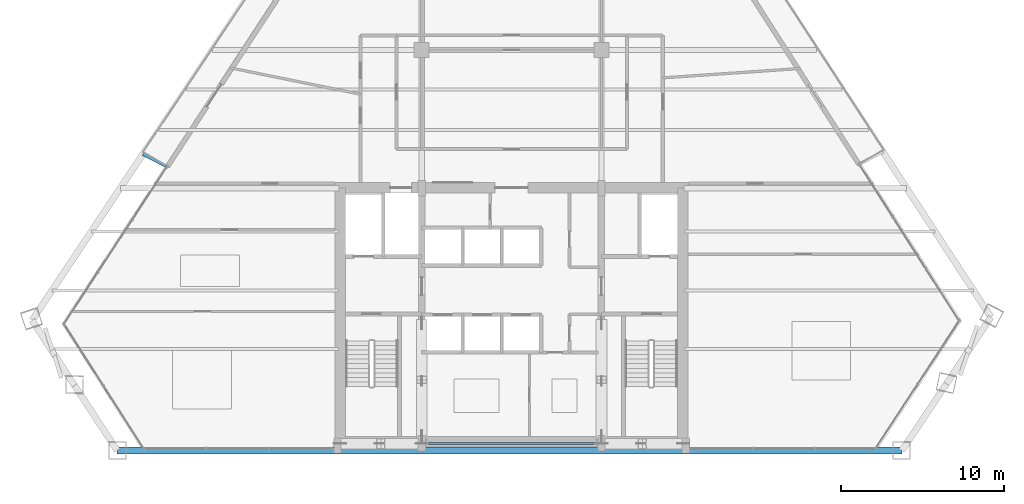
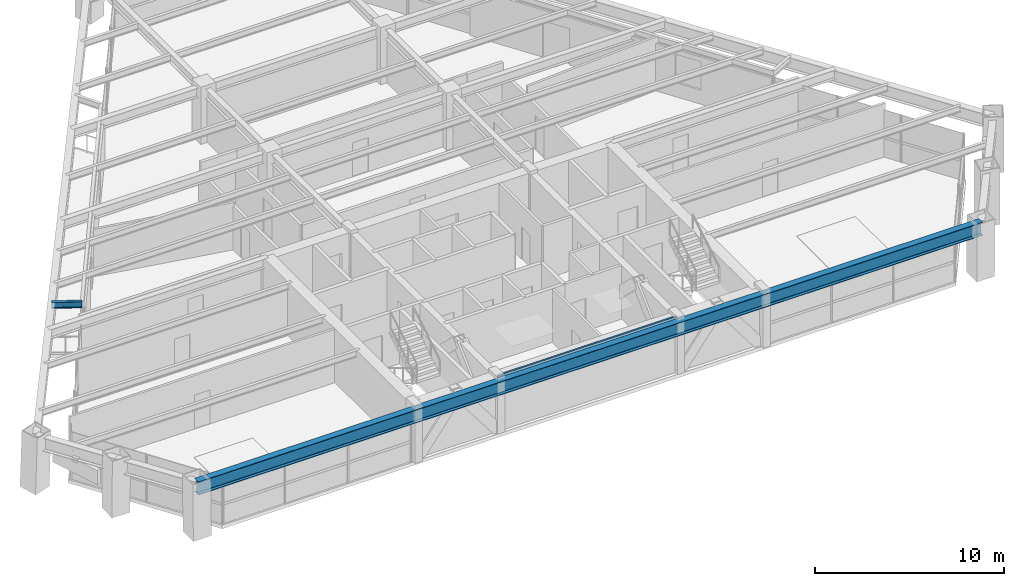
# One storey, part 3 of 14: 3 beams.
"""IFC4 building model written with IfcOpenShell, lengths in metres."""

from ifc_helpers import new_model, si_unit, direction, frame, origin, origin_2d, place, context, subcontext, project, spatial, i_section, extrude, source, transform, mapped, material, material_profile, profile_set, type_object, type_shapes, element, save


model = new_model("IFC4")

# Units and contexts
model_context = context("Model", 3, precision=1e-05, world=origin(), true_north=direction((0.0, 1.0)))
body_context = subcontext(model_context, "Body", "Model", "MODEL_VIEW")
ifc_project = project(units=[si_unit("LENGTHUNIT", "METRE"), si_unit("AREAUNIT", "SQUARE_METRE"), si_unit("VOLUMEUNIT", "CUBIC_METRE"), si_unit("PLANEANGLEUNIT", "RADIAN"), si_unit("MASSUNIT", "GRAM", prefix="KILO")], contexts=[model_context])

# Site, building, storey
site_placement = place(None, origin())
site = spatial("IfcSite", under=ifc_project, at=site_placement, CompositionType="ELEMENT")
building_placement = place(site_placement, origin())
building = spatial("IfcBuilding", under=site, at=building_placement, Name="Varnakhor Terracotta Tower", CompositionType="ELEMENT")
storey_placement = place(building_placement, frame((0.0, 0.0, 133.0)))
storey = spatial("IfcBuildingStorey", under=building, at=storey_placement, Name="L33", CompositionType="ELEMENT", Elevation=133.0)

# Beams
ifc_material = material(Name="Steel S355", Category="steel")
ifc_material_profile_1 = material_profile(ifc_material, i_section(OverallWidth=0.1201171875, OverallDepth=0.239990234375, WebThickness=0.006103515625, FlangeThickness=0.009765625, FilletRadius=0.01806640625, at=origin_2d()), Name="IPE240")
ifc_profile_set_1 = profile_set([ifc_material_profile_1], Name="Steel S355")
beam_type_1 = type_object("IfcBeamType", Name="LNT-IPE240", PredefinedType="LINTEL", material=ifc_profile_set_1)
shared_shape_1 = source(origin(), body_context, "Body", "SweptSolid", [
    extrude(i_section(OverallWidth=0.1201171875, OverallDepth=0.239990234375, WebThickness=0.006103515625, FlangeThickness=0.009765625, FilletRadius=0.01806640625, at=origin_2d()), origin(), (0.0, 0.0, 1.0), 11.0),
])
type_shapes(beam_type_1, [shared_shape_1])
beam_1_placement = place(storey_placement, frame((-5.5, 0.419921875, 3.35009765625), z_axis=(1.0, 0.0, 0.0), x_axis=(0.0, 1.0, 0.0)))
element("IfcBeam", 1, at=beam_1_placement, inside=storey, type_object=beam_type_1, Name="L33 Core South Coupling Lintel", PredefinedType="LINTEL", context=body_context, shape_type="MappedRepresentation", body=[
    mapped(shared_shape_1, transform((0.0, 0.0, 0.0), scale=1.0)),
])
ifc_material_profile_2 = material_profile(ifc_material, i_section(OverallWidth=0.39990234375, OverallDepth=0.85498046875, WebThickness=0.01806640625, FlangeThickness=0.029052734375, FilletRadius=0.01806640625, at=origin_2d()), Name="W33X201")
ifc_profile_set_2 = profile_set([ifc_material_profile_2], Name="Steel S355")
beam_type_2 = type_object("IfcBeamType", Name="BM-W33X201", PredefinedType="BEAM", material=ifc_profile_set_2)
shared_shape_2 = source(origin(), body_context, "Body", "SweptSolid", [
    extrude(i_section(OverallWidth=0.39990234375, OverallDepth=0.85498046875, WebThickness=0.01806640625, FlangeThickness=0.029052734375, FilletRadius=0.01806640625, at=origin_2d()), origin(), (0.0, 0.0, 1.0), 48.019775390625),
])
beam_2_placement = place(storey_placement, frame((-24.14013671875, 0.0, 3.04248046875), z_axis=(1.0, 0.0, 0.0), x_axis=(0.0, 1.0, 0.0)))
element("IfcBeam", 2, at=beam_2_placement, inside=storey, type_object=beam_type_2, Name="L33 Perimeter Spandrel 1", PredefinedType="BEAM", context=body_context, shape_type="MappedRepresentation", body=[
    mapped(shared_shape_2, transform((0.0, 0.0, 0.0), scale=1.0)),
])
ifc_material_profile_3 = material_profile(ifc_material, i_section(OverallWidth=0.179931640625, OverallDepth=0.39990234375, WebThickness=0.008544921875, FlangeThickness=0.013427734375, FilletRadius=0.01806640625, at=origin_2d()), Name="IPE400")
ifc_profile_set_3 = profile_set([ifc_material_profile_3], Name="Steel S355")
beam_type_3 = type_object("IfcBeamType", Name="JST-IPE400", PredefinedType="JOIST", material=ifc_profile_set_3)
shared_shape_3 = source(origin(), body_context, "Body", "SweptSolid", [
    extrude(i_section(OverallWidth=0.179931640625, OverallDepth=0.39990234375, WebThickness=0.008544921875, FlangeThickness=0.013427734375, FilletRadius=0.01806640625, at=origin_2d()), origin(), (0.0, 0.0, 1.0), 1.6201171875),
])
beam_3_placement = place(storey_placement, frame((-21.1123046875, 17.38427734375, 3.27001953125), z_axis=(-0.888658297274, 0.458569984502, 0.0), x_axis=(-0.458569984502, -0.888658297274, 0.0)))
element("IfcBeam", 3, at=beam_3_placement, inside=storey, type_object=beam_type_3, Name="L34 W Loggia Tie Beam 1", PredefinedType="JOIST", context=body_context, shape_type="MappedRepresentation", body=[
    mapped(shared_shape_3, transform((0.0, 0.0, 0.0), scale=1.0)),
])

save(model, "model.ifc")
